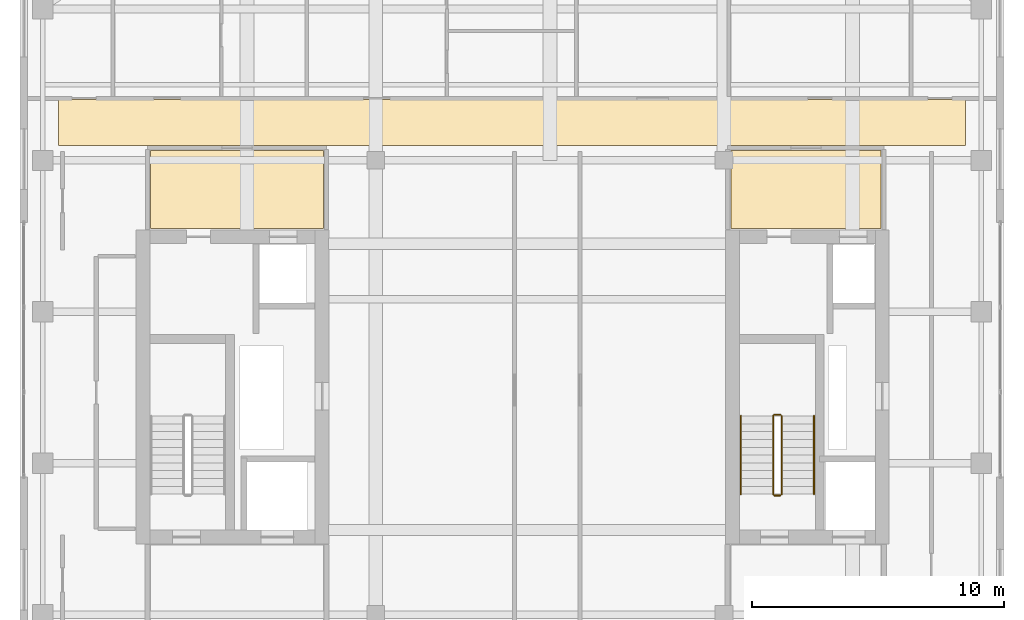
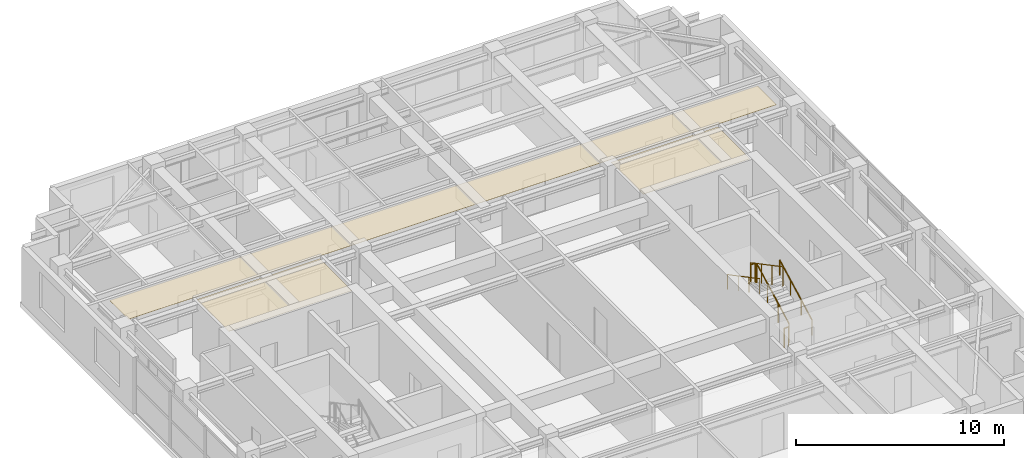
# One storey, part 13 of 14: 6 railings, 3 coverings.
"""IFC4 building model written with IfcOpenShell, lengths in metres."""

from ifc_helpers import new_model, si_unit, direction, frame, origin, origin_2d, place, context, subcontext, project, spatial, polyline, circle, outline, extrude, material, layer, layer_set, type_object, element, save


model = new_model("IFC4")

# Units and contexts
model_context = context("Model", 3, precision=1e-05, world=origin(), true_north=direction((0.0, 1.0)))
body_context = subcontext(model_context, "Body", "Model", "MODEL_VIEW")
ifc_project = project(units=[si_unit("LENGTHUNIT", "METRE"), si_unit("AREAUNIT", "SQUARE_METRE"), si_unit("VOLUMEUNIT", "CUBIC_METRE"), si_unit("PLANEANGLEUNIT", "RADIAN"), si_unit("MASSUNIT", "GRAM", prefix="KILO")], contexts=[model_context])

# Site, building, storey
site_placement = place(None, origin())
site = spatial("IfcSite", under=ifc_project, at=site_placement, CompositionType="ELEMENT")
building_placement = place(site_placement, origin())
building = spatial("IfcBuilding", under=site, at=building_placement, Name="Khoralis Quay Care Tower", CompositionType="ELEMENT")
storey_placement = place(building_placement, frame((0.0, 0.0, 274.5)))
storey = spatial("IfcBuildingStorey", under=building, at=storey_placement, Name="L72", CompositionType="ELEMENT", Elevation=274.5)

# Coverings
ifc_material_1 = material(Name="Mineral-fibre acoustic ceiling tile")
ifc_layer = layer(ifc_material_1, 0.01806640625)
ifc_layer_set = layer_set([ifc_layer], Name="Mineral-fibre acoustic ceiling tile")
covering_type = type_object("IfcCoveringType", Name="COV-CEIL-AC18", PredefinedType="CEILING", material=ifc_layer_set)
covering_1_placement = place(storey_placement, frame((0.0, 0.0, 3.172119140625)))
element("IfcCovering", 1, at=covering_1_placement, inside=storey, type_object=covering_type, Name="Suspended Acoustic Ceiling SP-L72-LLOB-W", PredefinedType="CEILING", context=body_context, shape_type="SweptSolid", body=[
    extrude(outline(polyline([(8.179931640625, 27.300048828125), (15.02001953125, 27.300048828125), (15.02001953125, 30.389892578125), (8.179931640625, 30.389892578125), (8.179931640625, 27.300048828125)])), origin(), (0.0, 0.0, 1.0), 0.017822265625),
])
covering_2_placement = place(storey_placement, frame((0.0, 0.0, 3.172119140625)))
element("IfcCovering", 2, at=covering_2_placement, inside=storey, type_object=covering_type, Name="Suspended Acoustic Ceiling SP-L72-LLOB-E", PredefinedType="CEILING", context=body_context, shape_type="SweptSolid", body=[
    extrude(outline(polyline([(31.179931640625, 27.300048828125), (37.1201171875, 27.300048828125), (37.1201171875, 30.389892578125), (31.179931640625, 30.389892578125), (31.179931640625, 27.300048828125)])), origin(), (0.0, 0.0, 1.0), 0.017822265625),
])
covering_3_placement = place(storey_placement, frame((0.0, 0.0, 3.172119140625)))
element("IfcCovering", 3, at=covering_3_placement, inside=storey, type_object=covering_type, Name="Suspended Acoustic Ceiling SP-L72-CORR-N", PredefinedType="CEILING", context=body_context, shape_type="SweptSolid", body=[
    extrude(outline(polyline([(4.52001953125, 30.590087890625), (40.47998046875, 30.590087890625), (40.47998046875, 32.419921875), (4.52001953125, 32.419921875), (4.52001953125, 30.590087890625)])), origin(), (0.0, 0.0, 1.0), 0.017822265625),
])

# Railings
ifc_material_2 = material(Name="Brushed stainless steel", Category="steel")
railing_type_1 = type_object("IfcRailingType", Name="RL-GUARD-1150", PredefinedType="GUARDRAIL", material=ifc_material_2)
railing_1_placement = place(storey_placement, frame((33.18994140625, 16.77001953125, 0.16357421875)))
element("IfcRailing", 4, at=railing_1_placement, inside=storey, type_object=railing_type_1, Name="L72 ST-T2 stair guard 1", PredefinedType="GUARDRAIL", context=body_context, shape_type="SweptSolid", body=[
    extrude(circle(Radius=0.02392578125, at=origin_2d()), frame((0.0, 0.0, 1.1259765625), z_axis=(0.0, 0.884348015382, 0.466828220752), x_axis=(-1.0, 0.0, 0.0)), (0.0, 0.0, 1.0), 3.505615234375),
    extrude(circle(Radius=0.02099609375, at=origin_2d()), origin(), (0.0, 0.0, 1.0), 1.101806640625),
    extrude(circle(Radius=0.02099609375, at=origin_2d()), frame((0.0, 1.033447265625, 0.54541015625)), (0.0, 0.0, 1.0), 1.101806640625),
    extrude(circle(Radius=0.02099609375, at=origin_2d()), frame((0.0, 2.066650390625, 1.091064453125)), (0.0, 0.0, 1.0), 1.101806640625),
    extrude(circle(Radius=0.02099609375, at=origin_2d()), frame((0.0, 3.10009765625, 1.636474609375)), (0.0, 0.0, 1.0), 1.101806640625),
])
railing_2_placement = place(storey_placement, frame((33.139892578125, 19.919921875, 1.800048828125)))
element("IfcRailing", 5, at=railing_2_placement, inside=storey, type_object=railing_type_1, Name="L72 ST-T2 stair guard 2", PredefinedType="GUARDRAIL", context=body_context, shape_type="SweptSolid", body=[
    extrude(circle(Radius=0.02392578125, at=origin_2d()), frame((0.0, 0.0, 1.1259765625), z_axis=(-1.0, 0.0, 0.0), x_axis=(0.0, -1.0, 0.0)), (0.0, 0.0, 1.0), 0.239990234375),
    extrude(circle(Radius=0.02099609375, at=origin_2d()), origin(), (0.0, 0.0, 1.0), 1.101806640625),
    extrude(circle(Radius=0.02099609375, at=origin_2d()), frame((-0.239990234375, 0.0, 0.0)), (0.0, 0.0, 1.0), 1.101806640625),
])
railing_3_placement = place(storey_placement, frame((32.85009765625, 19.8701171875, 1.963623046875)))
element("IfcRailing", 6, at=railing_3_placement, inside=storey, type_object=railing_type_1, Name="L72 ST-T2 stair guard 3", PredefinedType="GUARDRAIL", context=body_context, shape_type="SweptSolid", body=[
    extrude(circle(Radius=0.02392578125, at=origin_2d()), frame((0.0, 0.0, 1.1259765625), z_axis=(0.0, -0.884348015382, 0.466828220752), x_axis=(1.0, 0.0, 0.0)), (0.0, 0.0, 1.0), 3.505615234375),
    extrude(circle(Radius=0.02099609375, at=origin_2d()), origin(), (0.0, 0.0, 1.0), 1.101806640625),
    extrude(circle(Radius=0.02099609375, at=origin_2d()), frame((0.0, -1.033447265625, 0.54541015625)), (0.0, 0.0, 1.0), 1.101806640625),
    extrude(circle(Radius=0.02099609375, at=origin_2d()), frame((0.0, -2.066650390625, 1.091064453125)), (0.0, 0.0, 1.0), 1.101806640625),
    extrude(circle(Radius=0.02099609375, at=origin_2d()), frame((0.0, -3.10009765625, 1.636474609375)), (0.0, 0.0, 1.0), 1.101806640625),
])
railing_4_placement = place(storey_placement, frame((33.139892578125, 16.719970703125, 0.0)))
element("IfcRailing", 7, at=railing_4_placement, inside=storey, type_object=railing_type_1, Name="L72 ST-T2 stair guard 4", PredefinedType="GUARDRAIL", context=body_context, shape_type="SweptSolid", body=[
    extrude(circle(Radius=0.02392578125, at=origin_2d()), frame((0.0, 0.0, 1.1259765625), z_axis=(-1.0, 0.0, 0.0), x_axis=(0.0, -1.0, 0.0)), (0.0, 0.0, 1.0), 0.239990234375),
    extrude(circle(Radius=0.02099609375, at=origin_2d()), origin(), (0.0, 0.0, 1.0), 1.101806640625),
    extrude(circle(Radius=0.02099609375, at=origin_2d()), frame((-0.239990234375, 0.0, 0.0)), (0.0, 0.0, 1.0), 1.101806640625),
])
railing_type_2 = type_object("IfcRailingType", Name="RL-HAND-900", PredefinedType="HANDRAIL", material=ifc_material_2)
railing_5_placement = place(storey_placement, frame((34.469970703125, 16.77001953125, 0.16357421875)))
element("IfcRailing", 8, at=railing_5_placement, inside=storey, type_object=railing_type_2, Name="L72 ST-T2 stair handrail 1", PredefinedType="HANDRAIL", context=body_context, shape_type="SweptSolid", body=[
    extrude(circle(Radius=0.02392578125, at=origin_2d()), frame((0.0, 0.0, 0.8759765625), z_axis=(0.0, 0.884348015382, 0.466828220752), x_axis=(-1.0, 0.0, 0.0)), (0.0, 0.0, 1.0), 3.505615234375),
    extrude(circle(Radius=0.02099609375, at=origin_2d()), origin(), (0.0, 0.0, 1.0), 0.851806640625),
    extrude(circle(Radius=0.02099609375, at=origin_2d()), frame((0.0, 1.033447265625, 0.54541015625)), (0.0, 0.0, 1.0), 0.851806640625),
    extrude(circle(Radius=0.02099609375, at=origin_2d()), frame((0.0, 2.066650390625, 1.091064453125)), (0.0, 0.0, 1.0), 0.851806640625),
    extrude(circle(Radius=0.02099609375, at=origin_2d()), frame((0.0, 3.10009765625, 1.636474609375)), (0.0, 0.0, 1.0), 0.851806640625),
])
railing_6_placement = place(storey_placement, frame((31.570068359375, 19.8701171875, 1.963623046875)))
element("IfcRailing", 9, at=railing_6_placement, inside=storey, type_object=railing_type_2, Name="L72 ST-T2 stair handrail 2", PredefinedType="HANDRAIL", context=body_context, shape_type="SweptSolid", body=[
    extrude(circle(Radius=0.02392578125, at=origin_2d()), frame((0.0, 0.0, 0.8759765625), z_axis=(0.0, -0.884348015382, 0.466828220752), x_axis=(1.0, 0.0, 0.0)), (0.0, 0.0, 1.0), 3.505615234375),
    extrude(circle(Radius=0.02099609375, at=origin_2d()), origin(), (0.0, 0.0, 1.0), 0.851806640625),
    extrude(circle(Radius=0.02099609375, at=origin_2d()), frame((0.0, -1.033447265625, 0.54541015625)), (0.0, 0.0, 1.0), 0.851806640625),
    extrude(circle(Radius=0.02099609375, at=origin_2d()), frame((0.0, -2.066650390625, 1.091064453125)), (0.0, 0.0, 1.0), 0.851806640625),
    extrude(circle(Radius=0.02099609375, at=origin_2d()), frame((0.0, -3.10009765625, 1.636474609375)), (0.0, 0.0, 1.0), 0.851806640625),
])

save(model, "model.ifc")
